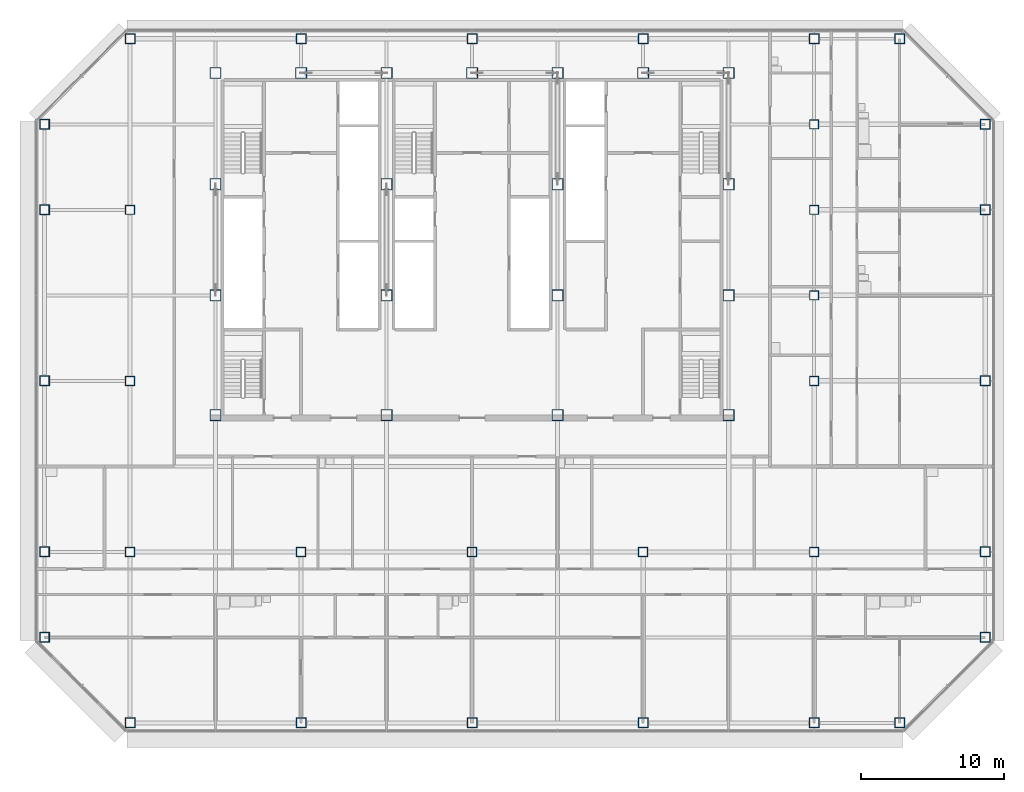
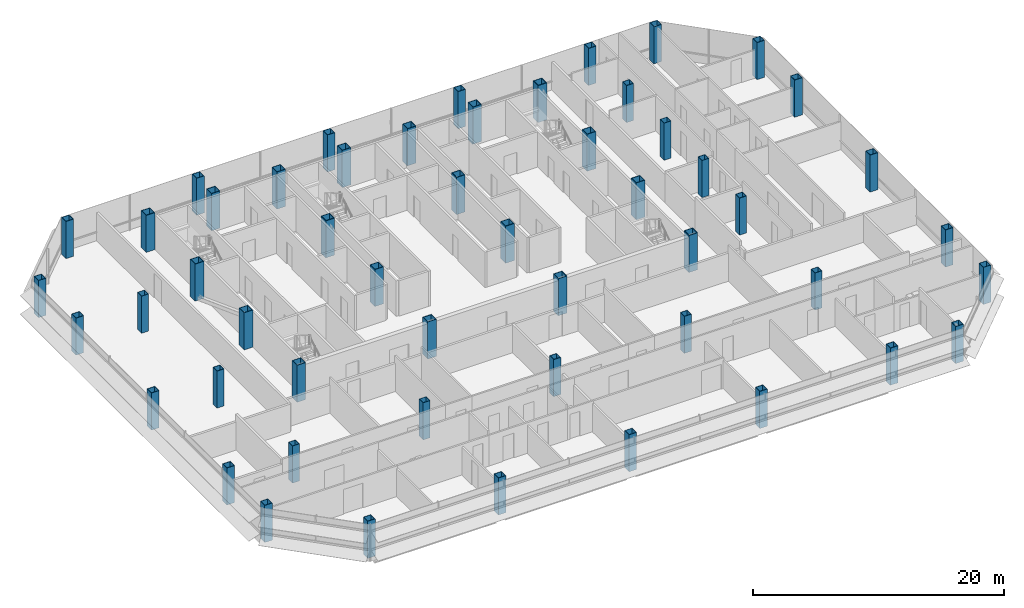
# One storey, part 1 of 26: 52 columns.
"""IFC4 building model written with IfcOpenShell, lengths in metres."""

import ifcopenshell
import ifcopenshell.guid

model = None  # the IFC model being written
_history = None  # IfcOwnerHistory: only IFC2X3 demands one
_inside = {}  # id of a spatial element -> (the spatial element, [elements in it])
_under = {}  # id of a project, library or spatial element -> (it, [spatial elements below it])
_declared = {}  # id of a project -> (the project, [libraries it declares])
_typed = {}  # id of a type object -> (the type object, [elements of that type])
_made_of = {}  # id of a material, layer set ... -> (it, [elements and type objects made of it])


def new_model(schema):
    """Start an empty IFC model of exactly this schema.

    Asked for "IFC4X3", IfcOpenShell would pick the latest addendum, in which some entities
    have other attributes; the version numbers below select the first issue.
    IFC2X3 requires an IfcOwnerHistory on every rooted entity: one is made here for all.
    """
    global model, _history
    if schema == "IFC4X3":
        model = ifcopenshell.file(schema_version=(4, 3, 0, 0))
    else:
        model = ifcopenshell.file(schema=schema)
    _inside.clear()
    _under.clear()
    _declared.clear()
    _typed.clear()
    _made_of.clear()
    _history = None
    if model.schema == "IFC2X3":
        org = make("IfcOrganization", Name="unknown")
        user = make(
            "IfcPersonAndOrganization",
            ThePerson=make("IfcPerson", FamilyName="unknown"),
            TheOrganization=org,
        )
        app = make(
            "IfcApplication",
            ApplicationDeveloper=org,
            Version="unknown",
            ApplicationFullName="unknown",
            ApplicationIdentifier="unknown",
        )
        _history = make(
            "IfcOwnerHistory",
            OwningUser=user,
            OwningApplication=app,
            ChangeAction="ADDED",
            CreationDate=0,
        )
    return model


def make(cls, **values):
    """One entity of the class cls with the attributes given. An attribute that is None is left unset."""
    return model.create_entity(
        cls, **{name: value for name, value in values.items() if value is not None}
    )


def rooted(cls, **values):
    """An entity with a GlobalId (a new one), such as an element, a storey or a relation."""
    return make(cls, GlobalId=ifcopenshell.guid.new(), OwnerHistory=_history, **values)


def si_unit(unit_type, name, prefix=None):
    """IfcSIUnit, for example si_unit("LENGTHUNIT", "METRE", prefix="MILLI")."""
    return make("IfcSIUnit", UnitType=unit_type, Prefix=prefix, Name=name)


def assignment(units):
    """IfcUnitAssignment: the units of a project."""
    return None if units is None else make("IfcUnitAssignment", Units=units)


def point(xyz):
    """IfcCartesianPoint."""
    return None if xyz is None else make("IfcCartesianPoint", Coordinates=xyz)


def direction(xyz):
    """IfcDirection."""
    return None if xyz is None else make("IfcDirection", DirectionRatios=xyz)


def frame(location, z_axis=None, x_axis=None):
    """IfcAxis2Placement3D, a coordinate frame: its origin and axes. An axis left out is left unset."""
    return make(
        "IfcAxis2Placement3D",
        Location=point(location),
        Axis=direction(z_axis),
        RefDirection=direction(x_axis),
    )


def frame_2d(location, x_axis=None):
    """IfcAxis2Placement2D, a coordinate frame in the plane: its origin and x axis."""
    return make(
        "IfcAxis2Placement2D", Location=point(location), RefDirection=direction(x_axis)
    )


def origin():
    """The frame at (0, 0, 0) with its axes left unset."""
    return frame((0.0, 0.0, 0.0))


def origin_2d():
    """The frame at (0, 0) in the plane with its x axis left unset."""
    return frame_2d((0.0, 0.0))


def place(relative_to, where):
    """IfcLocalPlacement: puts the frame where relative to a parent placement (None: the world)."""
    return make(
        "IfcLocalPlacement", PlacementRelTo=relative_to, RelativePlacement=where
    )


def context(
    kind, dimensions, precision=None, world=None, true_north=None, identifier=None
):
    """IfcGeometricRepresentationContext, for example the 3D "Model" context."""
    return make(
        "IfcGeometricRepresentationContext",
        ContextIdentifier=identifier,
        ContextType=kind,
        CoordinateSpaceDimension=dimensions,
        Precision=precision,
        WorldCoordinateSystem=world,
        TrueNorth=true_north,
    )


def subcontext(parent, identifier, kind, view, scale=None):
    """IfcGeometricRepresentationSubContext, for example "Body" below "Model"."""
    return make(
        "IfcGeometricRepresentationSubContext",
        ContextIdentifier=identifier,
        ContextType=kind,
        ParentContext=parent,
        TargetScale=scale,
        TargetView=view,
    )


def project(units=None, contexts=None):
    """IfcProject with its units and contexts."""
    return rooted(
        "IfcProject",
        Name="project",
        RepresentationContexts=contexts,
        UnitsInContext=assignment(units),
    )


def spatial(cls, under=None, at=None, **own):
    """A site, building, storey or space (cls), placed at a placement, below another one or the project."""
    s = rooted(cls, ObjectPlacement=at, **own)
    if under is not None:
        _under.setdefault(under.id(), (under, []))[1].append(s)
    return s


def profile(cls, at=None, kind="AREA", **sizes):
    """A parametric profile (cls). Its sizes go by their IFC names, for example OverallWidth=200.0."""
    return make(cls, ProfileType=kind, Position=at, **sizes)


def hollow_rectangle(**sizes):
    """IfcRectangleHollowProfileDef."""
    return profile("IfcRectangleHollowProfileDef", **sizes)


def extrude(swept, where, along, depth):
    """IfcExtrudedAreaSolid: the profile swept, set in the frame where, extruded along a direction by depth."""
    return make(
        "IfcExtrudedAreaSolid",
        SweptArea=swept,
        Position=where,
        ExtrudedDirection=direction(along),
        Depth=depth,
    )


def shape(context_of_items, identifier, shape_type, items):
    """IfcShapeRepresentation: the items that make up one representation, for example the "Body"."""
    return make(
        "IfcShapeRepresentation",
        ContextOfItems=context_of_items,
        RepresentationIdentifier=identifier,
        RepresentationType=shape_type,
        Items=items,
    )


def material(Name=None, Category=None):
    """IfcMaterial."""
    return make("IfcMaterial", Name=Name, Category=Category)


def material_profile(
    of_material, cross_section, Name=None, Category=None, Priority=None
):
    """IfcMaterialProfile: a cross section and its material."""
    return make(
        "IfcMaterialProfile",
        Name=Name,
        Material=of_material,
        Profile=cross_section,
        Priority=Priority,
        Category=Category,
    )


def profile_set(profiles, Name=None, composite=None):
    """IfcMaterialProfileSet."""
    return make(
        "IfcMaterialProfileSet",
        Name=Name,
        MaterialProfiles=profiles,
        CompositeProfile=composite,
    )


def made_of(thing, what):
    """Note that an element or type object is made of a material, layer set ...; save() writes the relation."""
    if what is not None:
        _made_of.setdefault(what.id(), (what, []))[1].append(thing)
    return thing


def type_object(cls, material=None, **own):
    """A type object (cls), such as IfcWallType, which elements share."""
    return made_of(rooted(cls, **own), material)


def element(
    cls,
    number,
    at=None,
    inside=None,
    cuts=None,
    type_object=None,
    material=None,
    context=None,
    identifier="Body",
    shape_type=None,
    held_by="IfcProductDefinitionShape",
    body=None,
    shapes=None,
    **own,
):
    """One element of the class cls, such as IfcWall. Its Tag is "e" and its number.

    at: its placement. inside: the storey or other place that contains it. cuts: it is an
    opening in that element (IfcRelVoidsElement). A single representation is given by context,
    identifier, shape_type and body (its items); several are given by shapes. held_by: the class
    of the entity that holds the representations. save() writes the other relations.
    """
    e = rooted(cls, Tag="e%d" % number, ObjectPlacement=at, **own)
    if body is not None:
        shapes = [shape(context, identifier, shape_type, body)]
    if shapes is not None:
        e.Representation = make(held_by, Representations=shapes)
    if inside is not None:
        _inside.setdefault(inside.id(), (inside, []))[1].append(e)
    if cuts is not None:
        rooted(
            "IfcRelVoidsElement", RelatingBuildingElement=cuts, RelatedOpeningElement=e
        )
    if type_object is not None:
        _typed.setdefault(type_object.id(), (type_object, []))[1].append(e)
    return made_of(e, material)


def aggregate(whole, parts):
    """IfcRelAggregates: a whole, such as a stair, and the parts it consists of."""
    return rooted("IfcRelAggregates", RelatingObject=whole, RelatedObjects=parts)


def save(model, path):
    """Write the relations noted so far, then the file.

    IfcRelAggregates (storeys below a building ...), IfcRelContainedInSpatialStructure (elements
    in a storey), IfcRelDefinesByType, IfcRelAssociatesMaterial and IfcRelDeclares: one each for
    every whole, place, type object, material and project.
    """
    for whole, parts in _under.values():
        aggregate(whole, parts)
    for where, things in _inside.values():
        rooted(
            "IfcRelContainedInSpatialStructure",
            RelatedElements=things,
            RelatingStructure=where,
        )
    for kind, things in _typed.values():
        rooted("IfcRelDefinesByType", RelatedObjects=things, RelatingType=kind)
    for what, things in _made_of.values():
        rooted("IfcRelAssociatesMaterial", RelatedObjects=things, RelatingMaterial=what)
    for by, libraries in _declared.values():
        rooted("IfcRelDeclares", RelatingContext=by, RelatedDefinitions=libraries)
    model.write(path)


model = new_model("IFC4")

# Units and contexts
model_context = context("Model", 3, precision=1e-05, world=origin(), true_north=direction((0.0, 1.0)))
body_context = subcontext(model_context, "Body", "Model", "MODEL_VIEW")
ifc_project = project(units=[si_unit("LENGTHUNIT", "METRE"), si_unit("AREAUNIT", "SQUARE_METRE"), si_unit("VOLUMEUNIT", "CUBIC_METRE"), si_unit("PLANEANGLEUNIT", "RADIAN"), si_unit("MASSUNIT", "GRAM", prefix="KILO")], contexts=[model_context])

# Site, building, storey
site_placement = place(None, origin())
site = spatial("IfcSite", under=ifc_project, at=site_placement, CompositionType="ELEMENT")
building_placement = place(site_placement, origin())
building = spatial("IfcBuilding", under=site, at=building_placement, Name="Sorahane Residences", CompositionType="ELEMENT")
storey_placement = place(building_placement, frame((0.0, 0.0, 147.39990234375)))
storey = spatial("IfcBuildingStorey", under=building, at=storey_placement, Name="L33", CompositionType="ELEMENT", Elevation=147.39990234375)

# Columns
ifc_material_1 = material(Name="Steel Q355B", Category="steel")
ifc_material_profile_1 = material_profile(ifc_material_1, hollow_rectangle(XDim=0.64990234375, YDim=0.64990234375, WallThickness=0.031982421875, at=origin_2d()), Name="BOX 650x650x32")
ifc_profile_set_1 = profile_set([ifc_material_profile_1], Name="Steel Q355B")
column_type_1 = type_object("IfcColumnType", Name="Steel box column BOX 650x650x32 Q355B", PredefinedType="COLUMN", material=ifc_profile_set_1)
for number, where, z_axis, x_axis, name in (
    (1, (0.0, 12.0, 0.0), (0.0, 0.0, 1.0), (1.0, 0.0, 0.0), "Column L33 0/12"),
    (2, (0.0, 24.0, 0.0), (0.0, 0.0, 1.0), (1.0, 0.0, 0.0), "Column L33 0/24"),
    (3, (0.0, 36.0, 0.0), (0.0, 0.0, 1.0), (1.0, 0.0, 0.0), "Column L33 0/36"),
    (4, (12.0, 12.0, 0.0), (0.0, 0.0, 1.0), (1.0, 0.0, 0.0), "Column L33 12/12"),
    (5, (24.0, 12.0, 0.0), (0.0, 0.0, 1.0), (1.0, 0.0, 0.0), "Column L33 24/12"),
    (6, (36.0, 12.0, 0.0), (0.0, 0.0, 1.0), (1.0, 0.0, 0.0), "Column L33 36/12"),
    (7, (48.0, 12.0, 0.0), (0.0, 0.0, 1.0), (1.0, 0.0, 0.0), "Column L33 48/12"),
    (8, (48.0, 24.0, 0.0), (0.0, 0.0, 1.0), (1.0, 0.0, 0.0), "Column L33 48/24"),
    (9, (48.0, 30.0, 0.0), (0.0, 0.0, 1.0), (1.0, 0.0, 0.0), "Column L33 48/30"),
    (10, (48.0, 36.0, 0.0), (0.0, 0.0, 1.0), (1.0, 0.0, 0.0), "Column L33 48/36"),
    (11, (48.0, 42.0, 0.0), (0.0, 0.0, 1.0), (1.0, 0.0, 0.0), "Column L33 48/42"),
):
    element("IfcColumn", number, at=place(storey_placement, frame(where, z_axis=z_axis, x_axis=x_axis)), inside=storey, type_object=column_type_1, Name=name, PredefinedType="COLUMN", context=body_context, shape_type="SweptSolid", body=[
        extrude(hollow_rectangle(XDim=0.64990234375, YDim=0.64990234375, WallThickness=0.031982421875, at=origin_2d()), origin(), (0.0, 0.0, 1.0), 3.60009765625),
    ])
ifc_material_2 = material(Name="Steel Q355B", Category="steel")
ifc_material_profile_2 = material_profile(ifc_material_2, hollow_rectangle(XDim=0.699951171875, YDim=0.699951171875, WallThickness=0.035888671875, at=origin_2d()), Name="BOX 700x700x36")
ifc_profile_set_2 = profile_set([ifc_material_profile_2], Name="Steel Q355B")
column_type_2 = type_object("IfcColumnType", Name="Steel box column BOX 700x700x36 Q355B", PredefinedType="COLUMN", material=ifc_profile_set_2)
for number, where, z_axis, x_axis, name in (
    (12, (-6.0, 6.0, 0.0), (0.0, 0.0, 1.0), (1.0, 0.0, 0.0), "Column L33 m6/6"),
    (13, (-6.0, 12.0, 0.0), (0.0, 0.0, 1.0), (1.0, 0.0, 0.0), "Column L33 m6/12"),
    (14, (-6.0, 24.0, 0.0), (0.0, 0.0, 1.0), (1.0, 0.0, 0.0), "Column L33 m6/24"),
    (15, (-6.0, 36.0, 0.0), (0.0, 0.0, 1.0), (1.0, 0.0, 0.0), "Column L33 m6/36"),
    (16, (-6.0, 42.0, 0.0), (0.0, 0.0, 1.0), (1.0, 0.0, 0.0), "Column L33 m6/42"),
    (17, (0.0, 0.0, 0.0), (0.0, 0.0, 1.0), (1.0, 0.0, 0.0), "Column L33 0/0"),
    (18, (0.0, 48.0, 0.0), (0.0, 0.0, 1.0), (1.0, 0.0, 0.0), "Column L33 0/48"),
    (19, (12.0, 0.0, 0.0), (0.0, 0.0, 1.0), (1.0, 0.0, 0.0), "Column L33 12/0"),
    (20, (12.0, 48.0, 0.0), (0.0, 0.0, 1.0), (1.0, 0.0, 0.0), "Column L33 12/48"),
    (21, (24.0, 0.0, 0.0), (0.0, 0.0, 1.0), (1.0, 0.0, 0.0), "Column L33 24/0"),
    (22, (24.0, 48.0, 0.0), (0.0, 0.0, 1.0), (1.0, 0.0, 0.0), "Column L33 24/48"),
    (23, (36.0, 0.0, 0.0), (0.0, 0.0, 1.0), (1.0, 0.0, 0.0), "Column L33 36/0"),
    (24, (36.0, 48.0, 0.0), (0.0, 0.0, 1.0), (1.0, 0.0, 0.0), "Column L33 36/48"),
    (25, (48.0, 0.0, 0.0), (0.0, 0.0, 1.0), (1.0, 0.0, 0.0), "Column L33 48/0"),
    (26, (48.0, 48.0, 0.0), (0.0, 0.0, 1.0), (1.0, 0.0, 0.0), "Column L33 48/48"),
    (27, (54.0, 0.0, 0.0), (0.0, 0.0, 1.0), (1.0, 0.0, 0.0), "Column L33 54/0"),
    (28, (54.0, 48.0, 0.0), (0.0, 0.0, 1.0), (1.0, 0.0, 0.0), "Column L33 54/48"),
    (29, (60.0, 6.0, 0.0), (0.0, 0.0, 1.0), (1.0, 0.0, 0.0), "Column L33 60/6"),
    (30, (60.0, 12.0, 0.0), (0.0, 0.0, 1.0), (1.0, 0.0, 0.0), "Column L33 60/12"),
    (31, (60.0, 24.0, 0.0), (0.0, 0.0, 1.0), (1.0, 0.0, 0.0), "Column L33 60/24"),
    (32, (60.0, 36.0, 0.0), (0.0, 0.0, 1.0), (1.0, 0.0, 0.0), "Column L33 60/36"),
    (33, (60.0, 42.0, 0.0), (0.0, 0.0, 1.0), (1.0, 0.0, 0.0), "Column L33 60/42"),
):
    element("IfcColumn", number, at=place(storey_placement, frame(where, z_axis=z_axis, x_axis=x_axis)), inside=storey, type_object=column_type_2, Name=name, PredefinedType="COLUMN", context=body_context, shape_type="SweptSolid", body=[
        extrude(hollow_rectangle(XDim=0.699951171875, YDim=0.699951171875, WallThickness=0.035888671875, at=origin_2d()), origin(), (0.0, 0.0, 1.0), 3.60009765625),
    ])
ifc_material_3 = material(Name="Steel Q420GJ", Category="steel")
ifc_material_profile_3 = material_profile(ifc_material_3, hollow_rectangle(XDim=0.800048828125, YDim=0.800048828125, WallThickness=0.044921875, at=origin_2d()), Name="BOX 800x800x45")
ifc_profile_set_3 = profile_set([ifc_material_profile_3], Name="Steel Q420GJ")
column_type_3 = type_object("IfcColumnType", Name="Steel box column BOX 800x800x45 Q420GJ", PredefinedType="COLUMN", material=ifc_profile_set_3)
for number, where, z_axis, x_axis, name in (
    (34, (6.0, 21.60009765625, 0.0), (0.0, 0.0, 1.0), (1.0, 0.0, 0.0), "Column L33 6/21.6"),
    (35, (6.0, 30.0, 0.0), (0.0, 0.0, 1.0), (1.0, 0.0, 0.0), "Column L33 6/30"),
    (36, (6.0, 37.800048828125, 0.0), (0.0, 0.0, 1.0), (1.0, 0.0, 0.0), "Column L33 6/37.8"),
    (37, (6.0, 45.60009765625, 0.0), (0.0, 0.0, 1.0), (1.0, 0.0, 0.0), "Column L33 6/45.6"),
    (38, (12.0, 45.60009765625, 0.0), (0.0, 0.0, 1.0), (1.0, 0.0, 0.0), "Column L33 12/45.6"),
    (39, (18.0, 21.60009765625, 0.0), (0.0, 0.0, 1.0), (1.0, 0.0, 0.0), "Column L33 18/21.6"),
    (40, (18.0, 30.0, 0.0), (0.0, 0.0, 1.0), (1.0, 0.0, 0.0), "Column L33 18/30"),
    (41, (18.0, 37.800048828125, 0.0), (0.0, 0.0, 1.0), (1.0, 0.0, 0.0), "Column L33 18/37.8"),
    (42, (18.0, 45.60009765625, 0.0), (0.0, 0.0, 1.0), (1.0, 0.0, 0.0), "Column L33 18/45.6"),
    (43, (24.0, 45.60009765625, 0.0), (0.0, 0.0, 1.0), (1.0, 0.0, 0.0), "Column L33 24/45.6"),
    (44, (30.0, 21.60009765625, 0.0), (0.0, 0.0, 1.0), (1.0, 0.0, 0.0), "Column L33 30/21.6"),
    (45, (30.0, 30.0, 0.0), (0.0, 0.0, 1.0), (1.0, 0.0, 0.0), "Column L33 30/30"),
    (46, (30.0, 37.800048828125, 0.0), (0.0, 0.0, 1.0), (1.0, 0.0, 0.0), "Column L33 30/37.8"),
    (47, (30.0, 45.60009765625, 0.0), (0.0, 0.0, 1.0), (1.0, 0.0, 0.0), "Column L33 30/45.6"),
    (48, (36.0, 45.60009765625, 0.0), (0.0, 0.0, 1.0), (1.0, 0.0, 0.0), "Column L33 36/45.6"),
    (49, (42.0, 21.60009765625, 0.0), (0.0, 0.0, 1.0), (1.0, 0.0, 0.0), "Column L33 42/21.6"),
    (50, (42.0, 30.0, 0.0), (0.0, 0.0, 1.0), (1.0, 0.0, 0.0), "Column L33 42/30"),
    (51, (42.0, 37.800048828125, 0.0), (0.0, 0.0, 1.0), (1.0, 0.0, 0.0), "Column L33 42/37.8"),
    (52, (42.0, 45.60009765625, 0.0), (0.0, 0.0, 1.0), (1.0, 0.0, 0.0), "Column L33 42/45.6"),
):
    element("IfcColumn", number, at=place(storey_placement, frame(where, z_axis=z_axis, x_axis=x_axis)), inside=storey, type_object=column_type_3, Name=name, PredefinedType="COLUMN", context=body_context, shape_type="SweptSolid", body=[
        extrude(hollow_rectangle(XDim=0.800048828125, YDim=0.800048828125, WallThickness=0.044921875, at=origin_2d()), origin(), (0.0, 0.0, 1.0), 3.60009765625),
    ])

save(model, "model.ifc")
